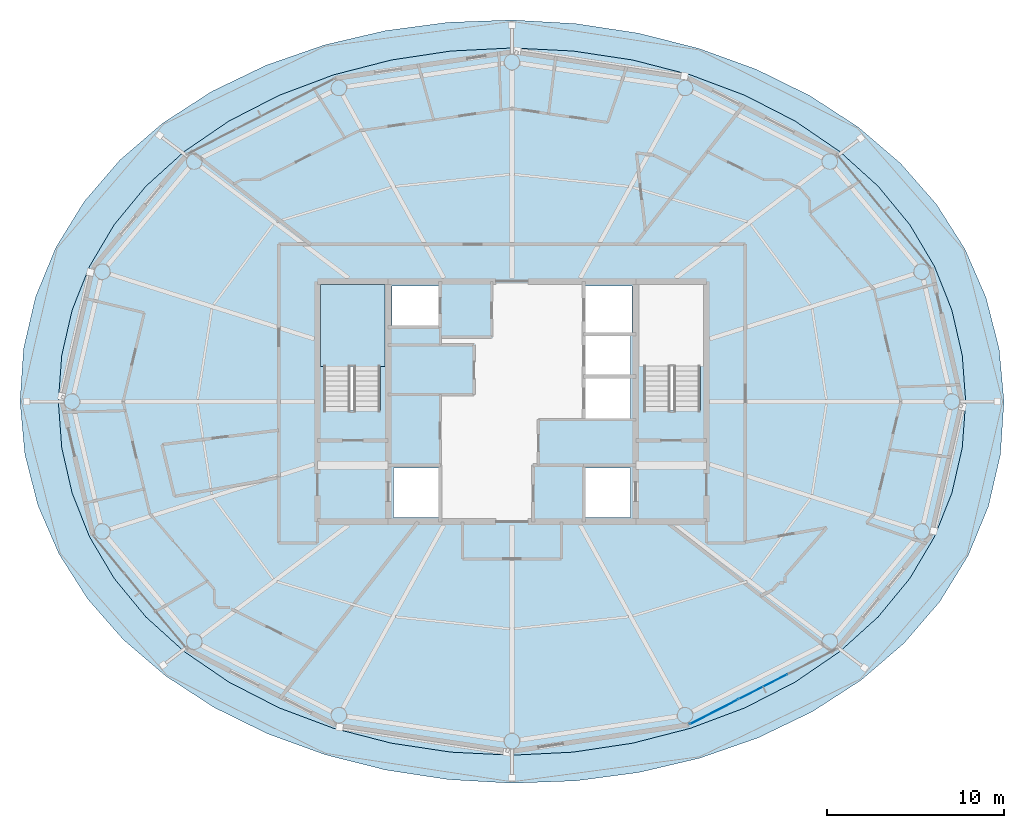
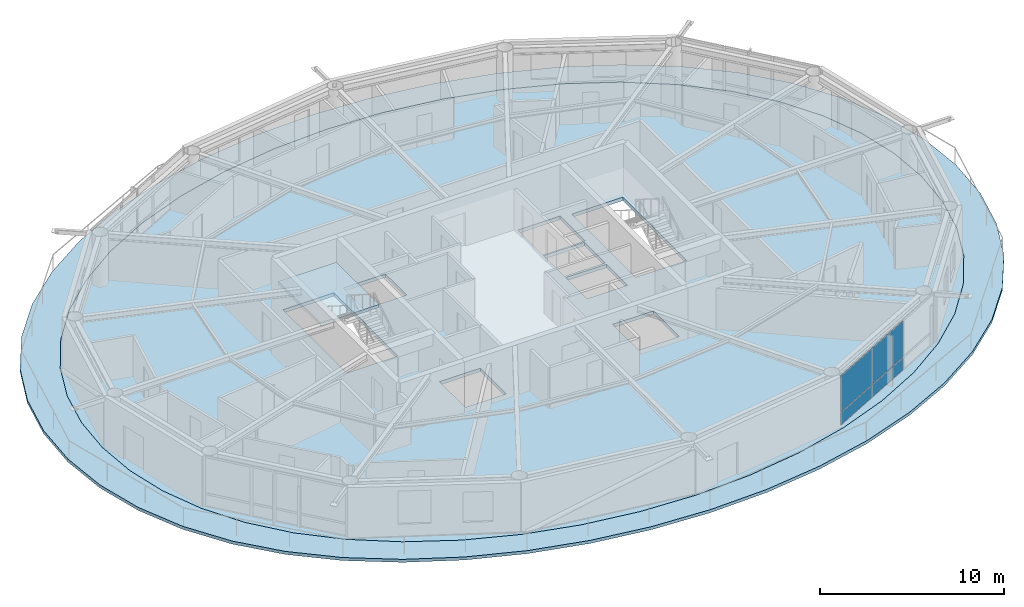
# One storey, part 13 of 22: 4 plates, 3 slabs, 2 elements without a shape of their own.
"""IFC4 building model written with IfcOpenShell, lengths in metres."""

from ifc_helpers import new_model, si_unit, direction, frame, origin, origin_2d, place, context, subcontext, project, spatial, polyline, rectangle, outline, extrude, material, layer, layer_set, type_object, element, aggregate, save


model = new_model("IFC4")

# Units and contexts
model_context = context("Model", 3, precision=1e-05, world=origin(), true_north=direction((0.0, 1.0)))
body_context = subcontext(model_context, "Body", "Model", "MODEL_VIEW")
ifc_project = project(units=[si_unit("LENGTHUNIT", "METRE"), si_unit("AREAUNIT", "SQUARE_METRE"), si_unit("VOLUMEUNIT", "CUBIC_METRE"), si_unit("PLANEANGLEUNIT", "RADIAN"), si_unit("MASSUNIT", "GRAM", prefix="KILO")], contexts=[model_context])

# Site, building, storey
site_placement = place(None, origin())
site = spatial("IfcSite", under=ifc_project, at=site_placement, CompositionType="ELEMENT")
building_placement = place(site_placement, origin())
building = spatial("IfcBuilding", under=site, at=building_placement, Name="Sarneth Arch Tower", CompositionType="ELEMENT")
storey_placement = place(building_placement, frame((0.0, 0.0, 301.800048828125)))
storey = spatial("IfcBuildingStorey", under=building, at=storey_placement, Name="L78", CompositionType="ELEMENT", Elevation=301.800048828125)

# Curtain wall, plates
ifc_material_1 = material(Name="Anodised aluminium Type AA25 and solar-control low-e laminated IGU", Category="aluminium")
ifc_layer_1 = layer(ifc_material_1, 0.179931640625)
ifc_layer_set_1 = layer_set([ifc_layer_1], Name="Anodised aluminium Type AA25 and solar-control low-e laminated IGU")
curtain_wall_type = type_object("IfcCurtainWallType", Name="CW-RES-HIGH", PredefinedType="NOTDEFINED", material=ifc_layer_set_1)
curtain_wall_placement = place(storey_placement, origin())
curtain_wall = element("IfcCurtainWall", 1, at=curtain_wall_placement, inside=storey, type_object=curtain_wall_type, Name="L78 Unitised curtain wall facet 14", PredefinedType="NOTDEFINED")
ifc_material_2 = material(Name="Solar-control low-e laminated IGU", Category="glass")
ifc_layer_2 = layer(ifc_material_2, 0.028076171875)
ifc_layer_set_2 = layer_set([ifc_layer_2], Name="Solar-control low-e laminated IGU")
plate_type = type_object("IfcPlateType", Name="CW-PANEL", PredefinedType="CURTAIN_PANEL", material=ifc_layer_set_2)
plate_1_placement = place(storey_placement, frame((59.4208984375, 24.447021484375, 0.059814453125), z_axis=(0.0, 0.0, 1.0), x_axis=(0.890009540525, 0.455941901753, 0.0)))
plate_1 = element("IfcPlate", 2, at=plate_1_placement, type_object=plate_type, Name="Curtain wall glazed vision pane CW-L78-F14/P00-00", PredefinedType="CURTAIN_PANEL", context=body_context, shape_type="SweptSolid", body=[
    extrude(rectangle(XDim=3.044677734375, YDim=0.028076171875, at=origin_2d()), origin(), (0.0, 0.0, 1.0), 0.81005859375),
])
plate_2_placement = place(storey_placement, frame((59.4208984375, 24.447021484375, 0.929931640625), z_axis=(0.0, 0.0, 1.0), x_axis=(0.890009540525, 0.455941901753, 0.0)))
plate_2 = element("IfcPlate", 3, at=plate_2_placement, type_object=plate_type, Name="Curtain wall glazed vision pane CW-L78-F14/P00-01", PredefinedType="CURTAIN_PANEL", context=body_context, shape_type="SweptSolid", body=[
    extrude(rectangle(XDim=3.044677734375, YDim=0.028076171875, at=origin_2d()), origin(), (0.0, 0.0, 1.0), 2.3798828125),
])
plate_3_placement = place(storey_placement, frame((62.197509765625, 25.86962890625, 0.059814453125), z_axis=(0.0, 0.0, 1.0), x_axis=(0.890009540525, 0.455941901753, 0.0)))
plate_3 = element("IfcPlate", 4, at=plate_3_placement, type_object=plate_type, Name="Curtain wall glazed vision pane CW-L78-F14/P01-00", PredefinedType="CURTAIN_PANEL", context=body_context, shape_type="SweptSolid", body=[
    extrude(rectangle(XDim=3.07470703125, YDim=0.028076171875, at=origin_2d()), origin(), (0.0, 0.0, 1.0), 0.81005859375),
])
plate_4_placement = place(storey_placement, frame((62.197509765625, 25.86962890625, 0.929931640625), z_axis=(0.0, 0.0, 1.0), x_axis=(0.890009540525, 0.455941901753, 0.0)))
plate_4 = element("IfcPlate", 5, at=plate_4_placement, type_object=plate_type, Name="Curtain wall glazed vision pane CW-L78-F14/P01-01", PredefinedType="CURTAIN_PANEL", context=body_context, shape_type="SweptSolid", body=[
    extrude(rectangle(XDim=3.07470703125, YDim=0.028076171875, at=origin_2d()), origin(), (0.0, 0.0, 1.0), 2.3798828125),
])
aggregate(curtain_wall, [plate_1, plate_2, plate_3, plate_4])

# Slab
ifc_material_3 = material(Name="Concrete C50/60", Category="concrete")
ifc_layer_3 = layer(ifc_material_3, 0.199951171875)
ifc_layer_set_3 = layer_set([ifc_layer_3], Name="Concrete C50/60")
slab_type_1 = type_object("IfcSlabType", Name="SLAB-BALC-200", PredefinedType="FLOOR", material=ifc_layer_set_3)
slab_1_placement = place(storey_placement, frame((0.0, 0.0, -0.199951171875)))
element("IfcSlab", 6, at=slab_1_placement, inside=storey, type_object=slab_type_1, Name="L78 Helical balcony band slab", PredefinedType="FLOOR", context=body_context, shape_type="SweptSolid", body=[
    extrude(outline(polyline([(75.827880859375, 42.0), (75.55322265625, 44.9833984375), (74.8125, 47.87744140625), (73.62255859375, 50.619140625), (72.00341796875, 53.161865234375), (69.978759765625, 55.472412109375), (67.578369140625, 57.526611328125), (64.84228515625, 59.30517578125), (61.8193359375, 60.7919921875), (58.56591796875, 61.973388671875), (55.140380859375, 62.83837890625), (51.600341796875, 63.377197265625), (48.0, 63.5830078125), (44.392333984375, 63.45068359375), (40.831298828125, 62.97802734375), (37.373779296875, 62.165771484375), (34.081787109375, 61.01806640625), (31.019775390625, 59.543212890625), (28.250244140625, 57.75439453125), (25.8291015625, 55.66943359375), (23.801513671875, 53.31298828125), (22.20166015625, 50.71728515625), (21.053466796875, 47.926025390625), (20.3740234375, 44.996337890625), (20.172119140625, 42.0), (20.44677734375, 39.0166015625), (21.1875, 36.12255859375), (22.37744140625, 33.380859375), (23.99658203125, 30.838134765625), (26.021240234375, 28.527587890625), (28.421630859375, 26.473388671875), (31.15771484375, 24.69482421875), (34.1806640625, 23.2080078125), (37.43408203125, 22.026611328125), (40.859619140625, 21.16162109375), (44.399658203125, 20.622802734375), (48.0, 20.4169921875), (51.607666015625, 20.54931640625), (55.168701171875, 21.02197265625), (58.626220703125, 21.834228515625), (61.918212890625, 22.98193359375), (64.980224609375, 24.456787109375), (67.749755859375, 26.24560546875), (70.1708984375, 28.33056640625), (72.198486328125, 30.68701171875), (73.79833984375, 33.28271484375), (74.946533203125, 36.073974609375), (75.6259765625, 39.003662109375), (75.827880859375, 42.0)]), holes=[polyline([(73.660888671875, 42.0), (73.466064453125, 44.610595703125), (72.87890625, 47.17626953125), (71.892822265625, 49.653564453125), (70.5029296875, 52.0), (68.712158203125, 54.17529296875), (66.536865234375, 56.14208984375), (64.009521484375, 57.8671875), (61.177001953125, 59.320556640625), (58.0966796875, 60.4775390625), (54.83203125, 61.318603515625), (51.44580078125, 61.828857421875), (48.0, 62.0), (44.55419921875, 61.828857421875), (41.16796875, 61.318603515625), (37.9033203125, 60.4775390625), (34.822998046875, 59.320556640625), (31.990478515625, 57.8671875), (29.463134765625, 56.14208984375), (27.287841796875, 54.17529296875), (25.4970703125, 52.0), (24.107177734375, 49.653564453125), (23.12109375, 47.17626953125), (22.533935546875, 44.610595703125), (22.339111328125, 42.0), (22.533935546875, 39.389404296875), (23.12109375, 36.82373046875), (24.107177734375, 34.346435546875), (25.4970703125, 32.0), (27.287841796875, 29.82470703125), (29.463134765625, 27.85791015625), (31.990478515625, 26.1328125), (34.822998046875, 24.679443359375), (37.9033203125, 23.5224609375), (41.16796875, 22.681396484375), (44.55419921875, 22.171142578125), (48.0, 22.0), (51.44580078125, 22.171142578125), (54.83203125, 22.681396484375), (58.0966796875, 23.5224609375), (61.177001953125, 24.679443359375), (64.009521484375, 26.1328125), (66.536865234375, 27.85791015625), (68.712158203125, 29.82470703125), (70.5029296875, 32.0), (71.892822265625, 34.346435546875), (72.87890625, 36.82373046875), (73.466064453125, 39.389404296875), (73.660888671875, 42.0)])]), origin(), (0.0, 0.0, 1.0), 0.199951171875),
])

# Stair, slab
ifc_material_4 = material(Name="Concrete C50/60", Category="concrete")
stair_type = type_object("IfcStairType", Name="STAIR-CORE-RC", PredefinedType="HALF_TURN_STAIR", material=ifc_material_4)
stair_placement = place(storey_placement, origin())
stair = element("IfcStair", 7, at=stair_placement, inside=storey, type_object=stair_type, Name="L78 Core Exit Stair 1", PredefinedType="HALF_TURN_STAIR")
ifc_material_5 = material(Name="Concrete C50/60", Category="concrete")
ifc_layer_4 = layer(ifc_material_5, 0.199951171875)
ifc_layer_set_4 = layer_set([ifc_layer_4], Name="Concrete C50/60")
slab_type_2 = type_object("IfcSlabType", Name="SLAB-LANDING-200", PredefinedType="LANDING", material=ifc_layer_set_4)
slab_2_placement = place(storey_placement, frame((0.0, 0.0, 1.599853515625)))
slab_2 = element("IfcSlab", 8, at=slab_2_placement, type_object=slab_type_2, Name="ST-1 landing 1", PredefinedType="LANDING", context=body_context, shape_type="SweptSolid", body=[
    extrude(outline(polyline([(37.175048828125, 43.985107421875), (40.824951171875, 43.985107421875), (40.824951171875, 48.625), (37.175048828125, 48.625), (37.175048828125, 43.985107421875)])), origin(), (0.0, 0.0, 1.0), 0.2001953125),
])
aggregate(stair, [slab_2])

# Slab
ifc_material_6 = material(Name="Concrete C50/60", Category="concrete")
ifc_layer_5 = layer(ifc_material_6, 0.22998046875)
ifc_layer_set_5 = layer_set([ifc_layer_5], Name="Concrete C50/60")
slab_type_3 = type_object("IfcSlabType", Name="SLAB-TOWER-230", PredefinedType="FLOOR", material=ifc_layer_set_5)
slab_3_placement = place(storey_placement, frame((0.0, 0.0, -0.22998046875)))
element("IfcSlab", 9, at=slab_3_placement, inside=storey, type_object=slab_type_3, Name="L78 Elliptical floor slab", PredefinedType="FLOOR", context=body_context, shape_type="SweptSolid", body=[
    extrude(outline(polyline([(73.660888671875, 42.0), (73.466064453125, 44.610595703125), (72.87890625, 47.17626953125), (71.892822265625, 49.653564453125), (70.5029296875, 52.0), (68.712158203125, 54.17529296875), (66.536865234375, 56.14208984375), (64.009521484375, 57.8671875), (61.177001953125, 59.320556640625), (58.0966796875, 60.4775390625), (54.83203125, 61.318603515625), (51.44580078125, 61.828857421875), (48.0, 62.0), (44.55419921875, 61.828857421875), (41.16796875, 61.318603515625), (37.9033203125, 60.4775390625), (34.822998046875, 59.320556640625), (31.990478515625, 57.8671875), (29.463134765625, 56.14208984375), (27.287841796875, 54.17529296875), (25.4970703125, 52.0), (24.107177734375, 49.653564453125), (23.12109375, 47.17626953125), (22.533935546875, 44.610595703125), (22.339111328125, 42.0), (22.533935546875, 39.389404296875), (23.12109375, 36.82373046875), (24.107177734375, 34.346435546875), (25.4970703125, 32.0), (27.287841796875, 29.82470703125), (29.463134765625, 27.85791015625), (31.990478515625, 26.1328125), (34.822998046875, 24.679443359375), (37.9033203125, 23.5224609375), (41.16796875, 22.681396484375), (44.55419921875, 22.171142578125), (48.0, 22.0), (51.44580078125, 22.171142578125), (54.83203125, 22.681396484375), (58.0966796875, 23.5224609375), (61.177001953125, 24.679443359375), (64.009521484375, 26.1328125), (66.536865234375, 27.85791015625), (68.712158203125, 29.82470703125), (70.5029296875, 32.0), (71.892822265625, 34.346435546875), (72.87890625, 36.82373046875), (73.466064453125, 39.389404296875), (73.660888671875, 42.0)]), holes=[polyline([(37.35009765625, 41.489990234375), (40.550048828125, 41.489990234375), (40.550048828125, 48.39990234375), (37.35009765625, 48.39990234375), (37.35009765625, 41.489990234375)]), polyline([(55.449951171875, 41.489990234375), (58.64990234375, 41.489990234375), (58.64990234375, 48.39990234375), (55.449951171875, 48.39990234375), (55.449951171875, 41.489990234375)]), polyline([(41.199951171875, 46.25), (43.85009765625, 46.25), (43.85009765625, 48.550048828125), (41.199951171875, 48.550048828125), (41.199951171875, 46.25)]), polyline([(41.300048828125, 35.449951171875), (43.85009765625, 35.449951171875), (43.85009765625, 38.25), (41.300048828125, 38.25), (41.300048828125, 35.449951171875)]), polyline([(52.14990234375, 35.449951171875), (54.699951171875, 35.449951171875), (54.699951171875, 38.25), (52.14990234375, 38.25), (52.14990234375, 35.449951171875)]), polyline([(52.14990234375, 45.85009765625), (54.800048828125, 45.85009765625), (54.800048828125, 48.550048828125), (52.14990234375, 48.550048828125), (52.14990234375, 45.85009765625)]), polyline([(52.14990234375, 41.050048828125), (54.699951171875, 41.050048828125), (54.699951171875, 43.35009765625), (52.14990234375, 43.35009765625), (52.14990234375, 41.050048828125)]), polyline([(52.14990234375, 43.5), (54.699951171875, 43.5), (54.699951171875, 45.75), (52.14990234375, 45.75), (52.14990234375, 43.5)])]), origin(), (0.0, 0.0, 1.0), 0.22998046875),
])

save(model, "model.ifc")
